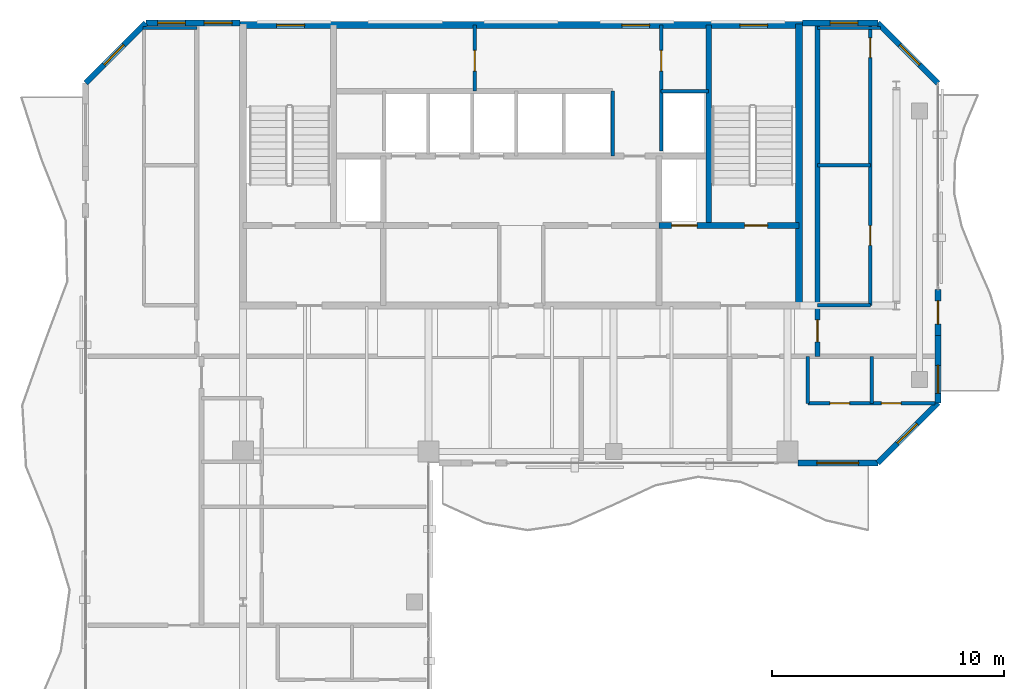
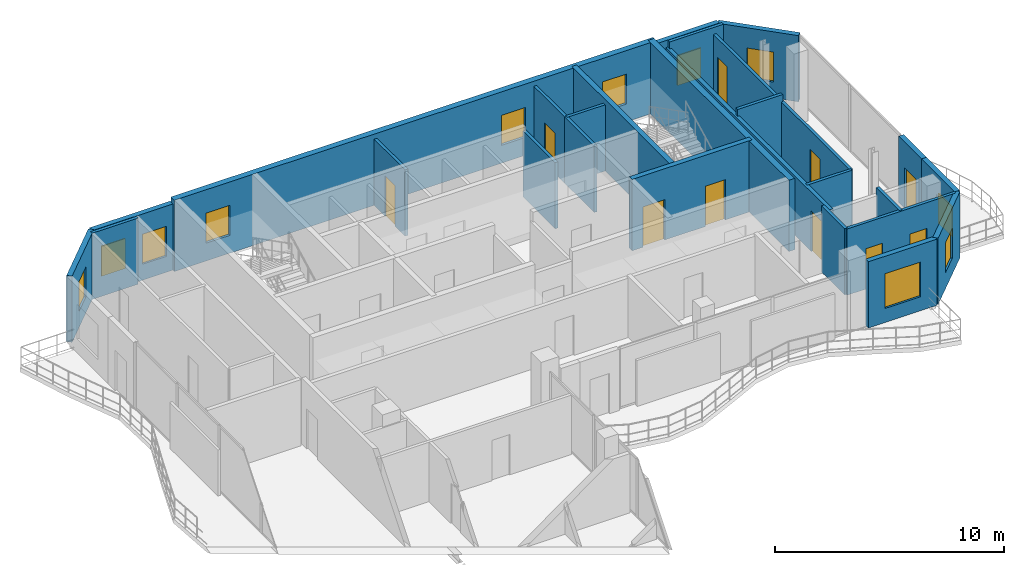
# One storey, part 13 of 16: 26 walls, 11 windows, 10 doors, 21 openings.
"""IFC4 building model written with IfcOpenShell, lengths in metres."""

from ifc_helpers import new_model, si_unit, direction, frame, frame_2d, origin, place, context, subcontext, project, spatial, rectangle, extrude, material, layer, layer_set, type_object, element, fill, save


model = new_model("IFC4")

# Units and contexts
model_context = context("Model", 3, precision=1e-05, world=origin(), true_north=direction((0.0, 1.0)))
body_context = subcontext(model_context, "Body", "Model", "MODEL_VIEW")
ifc_project = project(units=[si_unit("LENGTHUNIT", "METRE"), si_unit("AREAUNIT", "SQUARE_METRE"), si_unit("VOLUMEUNIT", "CUBIC_METRE"), si_unit("PLANEANGLEUNIT", "RADIAN"), si_unit("MASSUNIT", "GRAM", prefix="KILO")], contexts=[model_context])

# Site, building, storey
site_placement = place(None, origin())
site = spatial("IfcSite", under=ifc_project, at=site_placement, CompositionType="ELEMENT")
building_placement = place(site_placement, origin())
building = spatial("IfcBuilding", under=site, at=building_placement, Name="Catumbela Crestline Tower", CompositionType="ELEMENT")
storey_placement = place(building_placement, frame((0.0, 0.0, 275.4)))
storey = spatial("IfcBuildingStorey", under=building, at=storey_placement, Name="L71", CompositionType="ELEMENT", Elevation=275.4)

# Wall
ifc_material_1 = material(Name="Concrete C50/60", Category="concrete")
ifc_layer_1 = layer(ifc_material_1, 0.25, Name="Concrete C50/60")
ifc_layer_set_1 = layer_set([ifc_layer_1], Name="Concrete C50/60")
wall_type_1 = type_object("IfcWallType", Name="CW-250D", PredefinedType="SHEAR", material=ifc_layer_set_1)
wall_1_placement = place(storey_placement, frame((36.1, 34.25, 0.0), z_axis=(0.0, 0.0, 1.0), x_axis=(0.0, 1.0, 0.0)))
element("IfcWall", 1, at=wall_1_placement, inside=storey, type_object=wall_type_1, Name="L71 Structural Core Shear Wall EWEB", PredefinedType="SHEAR", context=body_context, shape_type="SweptSolid", body=[
    extrude(rectangle(XDim=8.65, YDim=0.25, at=frame_2d((4.325, 0.0))), origin(), (0.0, 0.0, 1.0), 3.8),
])

# Wall, openings, doors
wall_2_placement = place(storey_placement, frame((33.95, 34.25, 0.0), z_axis=(0.0, 0.0, 1.0), x_axis=(1.0, 0.0, 0.0)))
wall_2 = element("IfcWall", 2, at=wall_2_placement, inside=storey, type_object=wall_type_1, Name="L71 Structural Core Shear Wall ST2S", PredefinedType="SHEAR", context=body_context, shape_type="SweptSolid", body=[
    extrude(rectangle(XDim=6.05, YDim=0.25, at=frame_2d((3.025, 0.0))), origin(), (0.0, 0.0, 1.0), 3.8),
])
opening_1_placement = place(wall_2_placement, frame((3.7, 0.0, 0.0)))
opening_1 = element("IfcOpeningElement", 3, at=opening_1_placement, cuts=wall_2, Name="Opening DF9-100", PredefinedType="OPENING", context=body_context, shape_type="SweptSolid", body=[
    extrude(rectangle(XDim=1.0, YDim=2.15, at=frame_2d((0.5, 1.075))), frame((0.0, 0.135, 0.0), z_axis=(0.0, -1.0, 0.0), x_axis=(1.0, 0.0, 0.0)), (0.0, 0.0, 1.0), 0.27),
])
opening_2_placement = place(wall_2_placement, frame((0.55, 0.0, 0.0)))
opening_2 = element("IfcOpeningElement", 4, at=opening_2_placement, cuts=wall_2, Name="Opening LD-110", PredefinedType="OPENING", context=body_context, shape_type="SweptSolid", body=[
    extrude(rectangle(XDim=1.1, YDim=2.15, at=frame_2d((0.55, 1.075))), frame((0.0, 0.135, 0.0), z_axis=(0.0, -1.0, 0.0), x_axis=(1.0, 0.0, 0.0)), (0.0, 0.0, 1.0), 0.27),
])
ifc_material_2 = material(Name="Stainless steel EN 1.4401", Category="steel")
door_type_1 = type_object("IfcDoorType", Name="DF9-100", OperationType="NOTDEFINED", PredefinedType="DOOR", material=ifc_material_2)
door_1_placement = place(opening_1_placement, origin())
door_1 = element("IfcDoor", 5, at=door_1_placement, inside=storey, type_object=door_type_1, Name="L71 Interior Door DR-L71-ST02", OperationType="SINGLE_SWING_RIGHT", OverallHeight=2.15, OverallWidth=1.0, PredefinedType="DOOR", context=body_context, shape_type="SweptSolid", body=[
    extrude(rectangle(XDim=1.0, YDim=2.15, at=frame_2d((0.5, 1.075))), frame((0.0, 0.025, 0.0), z_axis=(0.0, -1.0, 0.0), x_axis=(1.0, 0.0, 0.0)), (0.0, 0.0, 1.0), 0.05),
])
fill(opening_1, door_1)
door_type_2 = type_object("IfcDoorType", Name="LD-110", OperationType="NOTDEFINED", PredefinedType="DOOR", material=ifc_material_2)
door_2_placement = place(opening_2_placement, origin())
door_2 = element("IfcDoor", 6, at=door_2_placement, inside=storey, type_object=door_type_2, Name="L71 Lift Landing Sliding Door FL-02", OperationType="DOUBLE_DOOR_SLIDING", OverallHeight=2.15, OverallWidth=1.1, PredefinedType="DOOR", context=body_context, shape_type="SweptSolid", body=[
    extrude(rectangle(XDim=1.1, YDim=2.15, at=frame_2d((0.55, 1.075))), frame((0.0, 0.025, 0.0), z_axis=(0.0, -1.0, 0.0), x_axis=(1.0, 0.0, 0.0)), (0.0, 0.0, 1.0), 0.05),
])
fill(opening_2, door_2)

# Wall
ifc_material_3 = material(Name="Concrete C45/55", Category="concrete")
ifc_layer_2 = layer(ifc_material_3, 0.3, Name="Concrete C45/55")
ifc_layer_set_2 = layer_set([ifc_layer_2], Name="Concrete C45/55")
wall_type_2 = type_object("IfcWallType", Name="CW-300C", PredefinedType="SHEAR", material=ifc_layer_set_2)
wall_3_placement = place(storey_placement, frame((40.0, 30.65, 0.0), z_axis=(0.0, 0.0, 1.0), x_axis=(0.0, 1.0, 0.0)))
element("IfcWall", 7, at=wall_3_placement, inside=storey, type_object=wall_type_2, Name="L71 Structural Core Shear Wall E", PredefinedType="SHEAR", context=body_context, shape_type="SweptSolid", body=[
    extrude(rectangle(XDim=12.3, YDim=0.3, at=frame_2d((6.15, 0.0))), origin(), (0.0, 0.0, 1.0), 3.8),
])

# Wall, openings, windows
ifc_layer_3 = layer(ifc_material_3, 0.3, Name="Concrete C45/55")
ifc_layer_set_3 = layer_set([ifc_layer_3], Name="Concrete C45/55")
wall_type_3 = type_object("IfcWallType", Name="CW-300E", PredefinedType="SHEAR", material=ifc_layer_set_3)
wall_4_placement = place(storey_placement, frame((15.85, 42.9, 0.0), z_axis=(0.0, 0.0, 1.0), x_axis=(1.0, 0.0, 0.0)))
wall_4 = element("IfcWall", 8, at=wall_4_placement, inside=storey, type_object=wall_type_3, Name="L71 Structural Core Shear Wall N", PredefinedType="SHEAR", context=body_context, shape_type="SweptSolid", body=[
    extrude(rectangle(XDim=24.3, YDim=0.3, at=frame_2d((12.15, 0.0))), origin(), (0.0, 0.0, 1.0), 3.8),
])
opening_3_placement = place(wall_4_placement, frame((1.6, 0.0, 0.95)))
opening_3 = element("IfcOpeningElement", 9, at=opening_3_placement, cuts=wall_4, Name="Opening WN-02", PredefinedType="OPENING", context=body_context, shape_type="SweptSolid", body=[
    extrude(rectangle(XDim=1.2, YDim=1.6, at=frame_2d((0.6, 0.8))), frame((0.0, 0.16, 0.0), z_axis=(0.0, -1.0, 0.0), x_axis=(1.0, 0.0, 0.0)), (0.0, 0.0, 1.0), 0.32),
])
opening_4_placement = place(wall_4_placement, frame((16.5, 0.0, 0.95)))
opening_4 = element("IfcOpeningElement", 10, at=opening_4_placement, cuts=wall_4, Name="Opening WN-02", PredefinedType="OPENING", context=body_context, shape_type="SweptSolid", body=[
    extrude(rectangle(XDim=1.2, YDim=1.6, at=frame_2d((0.6, 0.8))), frame((0.0, 0.16, 0.0), z_axis=(0.0, -1.0, 0.0), x_axis=(1.0, 0.0, 0.0)), (0.0, 0.0, 1.0), 0.32),
])
opening_5_placement = place(wall_4_placement, frame((21.6, 0.0, 0.95)))
opening_5 = element("IfcOpeningElement", 11, at=opening_5_placement, cuts=wall_4, Name="Opening WN-02", PredefinedType="OPENING", context=body_context, shape_type="SweptSolid", body=[
    extrude(rectangle(XDim=1.2, YDim=1.6, at=frame_2d((0.6, 0.8))), frame((0.0, 0.16, 0.0), z_axis=(0.0, -1.0, 0.0), x_axis=(1.0, 0.0, 0.0)), (0.0, 0.0, 1.0), 0.32),
])
ifc_material_4 = material(Name="Low-E laminated solar-control double glazing", Category="glass")
window_type_1 = type_object("IfcWindowType", Name="WO-1200", PartitioningType="SINGLE_PANEL", PredefinedType="WINDOW", material=ifc_material_4)
window_1_placement = place(opening_3_placement, origin())
window_1 = element("IfcWindow", 12, at=window_1_placement, inside=storey, type_object=window_type_1, Name="L71 North Core Daylight Vision Window 563", OverallHeight=1.6, OverallWidth=1.2, PartitioningType="SINGLE_PANEL", PredefinedType="WINDOW", context=body_context, shape_type="SweptSolid", body=[
    extrude(rectangle(XDim=1.2, YDim=1.6, at=frame_2d((0.6, 0.8))), frame((0.0, 0.03, 0.0), z_axis=(0.0, -1.0, 0.0), x_axis=(1.0, 0.0, 0.0)), (0.0, 0.0, 1.0), 0.06),
])
fill(opening_3, window_1)
window_2_placement = place(opening_4_placement, origin())
window_2 = element("IfcWindow", 13, at=window_2_placement, inside=storey, type_object=window_type_1, Name="L71 North Core Daylight Vision Window 564", OverallHeight=1.6, OverallWidth=1.2, PartitioningType="SINGLE_PANEL", PredefinedType="WINDOW", context=body_context, shape_type="SweptSolid", body=[
    extrude(rectangle(XDim=1.2, YDim=1.6, at=frame_2d((0.6, 0.8))), frame((0.0, 0.03, 0.0), z_axis=(0.0, -1.0, 0.0), x_axis=(1.0, 0.0, 0.0)), (0.0, 0.0, 1.0), 0.06),
])
fill(opening_4, window_2)
window_3_placement = place(opening_5_placement, origin())
window_3 = element("IfcWindow", 14, at=window_3_placement, inside=storey, type_object=window_type_1, Name="L71 North Core Daylight Vision Window 565", OverallHeight=1.6, OverallWidth=1.2, PartitioningType="SINGLE_PANEL", PredefinedType="WINDOW", context=body_context, shape_type="SweptSolid", body=[
    extrude(rectangle(XDim=1.2, YDim=1.6, at=frame_2d((0.6, 0.8))), frame((0.0, 0.03, 0.0), z_axis=(0.0, -1.0, 0.0), x_axis=(1.0, 0.0, 0.0)), (0.0, 0.0, 1.0), 0.06),
])
fill(opening_5, window_3)

# Wall, opening, door
ifc_material_5 = material(Name="Acoustic gypsum and mineral-wool partition")
ifc_layer_4 = layer(ifc_material_5, 0.2, Name="Acoustic gypsum and mineral-wool partition")
ifc_layer_set_4 = layer_set([ifc_layer_4], Name="Acoustic gypsum and mineral-wool partition")
wall_type_4 = type_object("IfcWallType", Name="WC-200", PredefinedType="PARTITIONING", material=ifc_layer_set_4)
wall_5_placement = place(storey_placement, frame((40.8, 28.6, 0.0), z_axis=(0.0, 0.0, 1.0), x_axis=(0.0, 1.0, 0.0)))
wall_5 = element("IfcWall", 15, at=wall_5_placement, inside=storey, type_object=wall_type_4, Name="L71 Interior Partition PW-L71-NE1-ENT", PredefinedType="PARTITIONING", context=body_context, shape_type="SweptSolid", body=[
    extrude(rectangle(XDim=14.3, YDim=0.2, at=frame_2d((7.15, 0.0))), origin(), (0.0, 0.0, 1.0), 3.16),
])
opening_6_placement = place(wall_5_placement, frame((0.625, 0.0, 0.0)))
opening_6 = element("IfcOpeningElement", 16, at=opening_6_placement, cuts=wall_5, Name="Opening DF6-095", PredefinedType="OPENING", context=body_context, shape_type="SweptSolid", body=[
    extrude(rectangle(XDim=0.95, YDim=2.15, at=frame_2d((0.475, 1.075))), frame((0.0, 0.11, 0.0), z_axis=(0.0, -1.0, 0.0), x_axis=(1.0, 0.0, 0.0)), (0.0, 0.0, 1.0), 0.22),
])
ifc_material_6 = material(Name="Aluminium alloy AW-6060-T66", Category="aluminium")
door_type_3 = type_object("IfcDoorType", Name="DF6-095", OperationType="NOTDEFINED", PredefinedType="DOOR", material=ifc_material_6)
door_3_placement = place(opening_6_placement, origin())
door_3 = element("IfcDoor", 17, at=door_3_placement, inside=storey, type_object=door_type_3, Name="L71 Interior Door DR-L71-NE1-ENT", OperationType="SINGLE_SWING_LEFT", OverallHeight=2.15, OverallWidth=0.95, PredefinedType="DOOR", context=body_context, shape_type="SweptSolid", body=[
    extrude(rectangle(XDim=0.95, YDim=2.15, at=frame_2d((0.475, 1.075))), frame((0.0, 0.025, 0.0), z_axis=(0.0, -1.0, 0.0), x_axis=(1.0, 0.0, 0.0)), (0.0, 0.0, 1.0), 0.05),
])
fill(opening_6, door_3)

# Wall, opening, window
ifc_material_7 = material(Name="Angolan grey-ochre granite", Category="masonry")
ifc_layer_5 = layer(ifc_material_7, 0.25, Name="Angolan grey-ochre granite")
ifc_layer_set_5 = layer_set([ifc_layer_5], Name="Angolan grey-ochre granite")
wall_type_5 = type_object("IfcWallType", Name="WE-250", PredefinedType="STANDARD", material=ifc_layer_set_5)
wall_6_placement = place(storey_placement, frame((39.95, 24.0, 0.0), z_axis=(0.0, 0.0, 1.0), x_axis=(1.0, 0.0, 0.0)))
wall_6 = element("IfcWall", 18, at=wall_6_placement, inside=storey, type_object=wall_type_5, Name="L71 Granite Punched Window Wall 3-3", PredefinedType="STANDARD", context=body_context, shape_type="SweptSolid", body=[
    extrude(rectangle(XDim=3.45, YDim=0.25, at=frame_2d((1.725, 0.0))), origin(), (0.0, 0.0, 1.0), 3.53),
])
opening_7_placement = place(wall_6_placement, frame((0.825, 0.0, 0.75)))
opening_7 = element("IfcOpeningElement", 19, at=opening_7_placement, cuts=wall_6, Name="Opening WN-01", PredefinedType="OPENING", context=body_context, shape_type="SweptSolid", body=[
    extrude(rectangle(XDim=1.8, YDim=1.85, at=frame_2d((0.9, 0.925))), frame((0.0, 0.135, 0.0), z_axis=(0.0, -1.0, 0.0), x_axis=(1.0, 0.0, 0.0)), (0.0, 0.0, 1.0), 0.27),
])
window_type_2 = type_object("IfcWindowType", Name="WF-1800", PartitioningType="SINGLE_PANEL", PredefinedType="WINDOW", material=ifc_material_4)
window_4_placement = place(opening_7_placement, origin())
window_4 = element("IfcWindow", 20, at=window_4_placement, inside=storey, type_object=window_type_2, Name="L71 Facade Vision Window 567", OverallHeight=1.85, OverallWidth=1.8, PartitioningType="SINGLE_PANEL", PredefinedType="WINDOW", context=body_context, shape_type="SweptSolid", body=[
    extrude(rectangle(XDim=1.8, YDim=1.85, at=frame_2d((0.9, 0.925))), frame((0.0, 0.03, 0.0), z_axis=(0.0, -1.0, 0.0), x_axis=(1.0, 0.0, 0.0)), (0.0, 0.0, 1.0), 0.06),
])
fill(opening_7, window_4)

wall_7_placement = place(storey_placement, frame((43.4, 24.0, 0.0), z_axis=(0.0, 0.0, 1.0), x_axis=(0.707106781187, 0.707106781187, 0.0)))
wall_7 = element("IfcWall", 21, at=wall_7_placement, inside=storey, type_object=wall_type_5, Name="L71 Granite Punched Window Wall 4-1", PredefinedType="STANDARD", context=body_context, shape_type="SweptSolid", body=[
    extrude(rectangle(XDim=3.677, YDim=0.25, at=frame_2d((1.8385, 0.0))), origin(), (0.0, 0.0, 1.0), 3.53),
])
opening_8_placement = place(wall_7_placement, frame((1.1962, 0.0, 0.85)))
opening_8 = element("IfcOpeningElement", 22, at=opening_8_placement, cuts=wall_7, Name="Opening WN-02", PredefinedType="OPENING", context=body_context, shape_type="SweptSolid", body=[
    extrude(rectangle(XDim=1.2, YDim=1.6, at=frame_2d((0.6, 0.8))), frame((0.0, 0.135, 0.0), z_axis=(0.0, -1.0, 0.0), x_axis=(1.0, 0.0, 0.0)), (0.0, 0.0, 1.0), 0.27),
])
window_5_placement = place(opening_8_placement, origin())
window_5 = element("IfcWindow", 23, at=window_5_placement, inside=storey, type_object=window_type_1, Name="L71 Facade Vision Window 568", OverallHeight=1.6, OverallWidth=1.2, PartitioningType="SINGLE_PANEL", PredefinedType="WINDOW", context=body_context, shape_type="SweptSolid", body=[
    extrude(rectangle(XDim=1.2, YDim=1.6, at=frame_2d((0.6, 0.8))), frame((0.0, 0.03, 0.0), z_axis=(0.0, -1.0, 0.0), x_axis=(1.0, 0.0, 0.0)), (0.0, 0.0, 1.0), 0.06),
])
fill(opening_8, window_5)

# Wall, opening, door
wall_8_placement = place(storey_placement, frame((46.0, 29.5, 0.0), z_axis=(0.0, 0.0, 1.0), x_axis=(0.0, 1.0, 0.0)))
wall_8 = element("IfcWall", 24, at=wall_8_placement, inside=storey, type_object=wall_type_5, Name="L71 Exterior Threshold Portal Wall DR-L71-WBAL-2", PredefinedType="STANDARD", context=body_context, shape_type="SweptSolid", body=[
    extrude(rectangle(XDim=2.0, YDim=0.25, at=frame_2d((1.0, 0.0))), origin(), (0.0, 0.0, 1.0), 3.53),
])
opening_9_placement = place(wall_8_placement, frame((0.5, 0.0, 0.0)))
opening_9 = element("IfcOpeningElement", 25, at=opening_9_placement, cuts=wall_8, Name="Opening DB-L71-2", PredefinedType="OPENING", context=body_context, shape_type="SweptSolid", body=[
    extrude(rectangle(XDim=1.0, YDim=2.15, at=frame_2d((0.5, 1.075))), frame((0.0, 0.135, 0.0), z_axis=(0.0, -1.0, 0.0), x_axis=(1.0, 0.0, 0.0)), (0.0, 0.0, 1.0), 0.27),
])
door_type_4 = type_object("IfcDoorType", Name="DB-1000", OperationType="NOTDEFINED", PredefinedType="DOOR", material=ifc_material_6)
door_4_placement = place(opening_9_placement, origin())
door_4 = element("IfcDoor", 26, at=door_4_placement, inside=storey, type_object=door_type_4, Name="L71 Wave Balcony Terrace Door 2", OperationType="SINGLE_SWING_RIGHT", OverallHeight=2.15, OverallWidth=1.0, PredefinedType="DOOR", context=body_context, shape_type="SweptSolid", body=[
    extrude(rectangle(XDim=1.0, YDim=2.15, at=frame_2d((0.5, 1.075))), frame((0.0, 0.025, 0.0), z_axis=(0.0, -1.0, 0.0), x_axis=(1.0, 0.0, 0.0)), (0.0, 0.0, 1.0), 0.05),
])
fill(opening_9, door_4)

# Wall, opening, window
wall_9_placement = place(storey_placement, frame((46.0, 26.6, 0.0), z_axis=(0.0, 0.0, 1.0), x_axis=(0.0, 1.0, 0.0)))
wall_9 = element("IfcWall", 27, at=wall_9_placement, inside=storey, type_object=wall_type_5, Name="L71 Granite Punched Window Wall 5-1", PredefinedType="STANDARD", context=body_context, shape_type="SweptSolid", body=[
    extrude(rectangle(XDim=2.9, YDim=0.25, at=frame_2d((1.45, 0.0))), origin(), (0.0, 0.0, 1.0), 3.53),
])
opening_10_placement = place(wall_9_placement, frame((0.41, 0.0, 0.85)))
opening_10 = element("IfcOpeningElement", 28, at=opening_10_placement, cuts=wall_9, Name="Opening WN-02", PredefinedType="OPENING", context=body_context, shape_type="SweptSolid", body=[
    extrude(rectangle(XDim=1.2, YDim=1.6, at=frame_2d((0.6, 0.8))), frame((0.0, 0.135, 0.0), z_axis=(0.0, -1.0, 0.0), x_axis=(1.0, 0.0, 0.0)), (0.0, 0.0, 1.0), 0.27),
])
window_6_placement = place(opening_10_placement, origin())
window_6 = element("IfcWindow", 29, at=window_6_placement, inside=storey, type_object=window_type_1, Name="L71 Facade Vision Window 569", OverallHeight=1.6, OverallWidth=1.2, PartitioningType="SINGLE_PANEL", PredefinedType="WINDOW", context=body_context, shape_type="SweptSolid", body=[
    extrude(rectangle(XDim=1.2, YDim=1.6, at=frame_2d((0.6, 0.8))), frame((0.0, 0.03, 0.0), z_axis=(0.0, -1.0, 0.0), x_axis=(1.0, 0.0, 0.0)), (0.0, 0.0, 1.0), 0.06),
])
fill(opening_10, window_6)

wall_10_placement = place(storey_placement, frame((46.0, 40.4, 0.0), z_axis=(0.0, 0.0, 1.0), x_axis=(-0.707106781187, 0.707106781187, 0.0)))
wall_10 = element("IfcWall", 30, at=wall_10_placement, inside=storey, type_object=wall_type_5, Name="L71 Granite Punched Window Wall 6-1", PredefinedType="STANDARD", context=body_context, shape_type="SweptSolid", body=[
    extrude(rectangle(XDim=3.677, YDim=0.25, at=frame_2d((1.8385, 0.0))), origin(), (0.0, 0.0, 1.0), 3.53),
])
opening_11_placement = place(wall_10_placement, frame((1.1282, 0.0, 0.85)))
opening_11 = element("IfcOpeningElement", 31, at=opening_11_placement, cuts=wall_10, Name="Opening WN-02", PredefinedType="OPENING", context=body_context, shape_type="SweptSolid", body=[
    extrude(rectangle(XDim=1.2, YDim=1.6, at=frame_2d((0.6, 0.8))), frame((0.0, 0.135, 0.0), z_axis=(0.0, -1.0, 0.0), x_axis=(1.0, 0.0, 0.0)), (0.0, 0.0, 1.0), 0.27),
])
window_7_placement = place(opening_11_placement, origin())
window_7 = element("IfcWindow", 32, at=window_7_placement, inside=storey, type_object=window_type_1, Name="L71 Facade Vision Window 570", OverallHeight=1.6, OverallWidth=1.2, PartitioningType="SINGLE_PANEL", PredefinedType="WINDOW", context=body_context, shape_type="SweptSolid", body=[
    extrude(rectangle(XDim=1.2, YDim=1.6, at=frame_2d((0.6, 0.8))), frame((0.0, 0.03, 0.0), z_axis=(0.0, -1.0, 0.0), x_axis=(1.0, 0.0, 0.0)), (0.0, 0.0, 1.0), 0.06),
])
fill(opening_11, window_7)

wall_11_placement = place(storey_placement, frame((43.4, 43.0, 0.0), z_axis=(0.0, 0.0, 1.0), x_axis=(-1.0, 0.0, 0.0)))
wall_11 = element("IfcWall", 33, at=wall_11_placement, inside=storey, type_object=wall_type_5, Name="L71 Granite Punched Window Wall 7-1", PredefinedType="STANDARD", context=body_context, shape_type="SweptSolid", body=[
    extrude(rectangle(XDim=3.26, YDim=0.25, at=frame_2d((1.63, 0.0))), origin(), (0.0, 0.0, 1.0), 3.53),
])
opening_12_placement = place(wall_11_placement, frame((0.86, 0.0, 0.85)))
opening_12 = element("IfcOpeningElement", 34, at=opening_12_placement, cuts=wall_11, Name="Opening WN-02", PredefinedType="OPENING", context=body_context, shape_type="SweptSolid", body=[
    extrude(rectangle(XDim=1.2, YDim=1.6, at=frame_2d((0.6, 0.8))), frame((0.0, 0.135, 0.0), z_axis=(0.0, -1.0, 0.0), x_axis=(1.0, 0.0, 0.0)), (0.0, 0.0, 1.0), 0.27),
])
window_8_placement = place(opening_12_placement, origin())
window_8 = element("IfcWindow", 35, at=window_8_placement, inside=storey, type_object=window_type_1, Name="L71 Facade Vision Window 571", OverallHeight=1.6, OverallWidth=1.2, PartitioningType="SINGLE_PANEL", PredefinedType="WINDOW", context=body_context, shape_type="SweptSolid", body=[
    extrude(rectangle(XDim=1.2, YDim=1.6, at=frame_2d((0.6, 0.8))), frame((0.0, 0.03, 0.0), z_axis=(0.0, -1.0, 0.0), x_axis=(1.0, 0.0, 0.0)), (0.0, 0.0, 1.0), 0.06),
])
fill(opening_12, window_8)

# Wall, openings, windows
wall_12_placement = place(storey_placement, frame((15.86, 43.0, 0.0), z_axis=(0.0, 0.0, 1.0), x_axis=(-1.0, 0.0, 0.0)))
wall_12 = element("IfcWall", 36, at=wall_12_placement, inside=storey, type_object=wall_type_5, Name="L71 Granite Punched Window Wall 7-2", PredefinedType="STANDARD", context=body_context, shape_type="SweptSolid", body=[
    extrude(rectangle(XDim=4.06, YDim=0.25, at=frame_2d((2.03, 0.0))), origin(), (0.0, 0.0, 1.0), 3.53),
])
opening_13_placement = place(wall_12_placement, frame((0.34, 0.0, 0.85)))
opening_13 = element("IfcOpeningElement", 37, at=opening_13_placement, cuts=wall_12, Name="Opening WN-02", PredefinedType="OPENING", context=body_context, shape_type="SweptSolid", body=[
    extrude(rectangle(XDim=1.2, YDim=1.6, at=frame_2d((0.6, 0.8))), frame((0.0, 0.135, 0.0), z_axis=(0.0, -1.0, 0.0), x_axis=(1.0, 0.0, 0.0)), (0.0, 0.0, 1.0), 0.27),
])
opening_14_placement = place(wall_12_placement, frame((2.35, 0.0, 0.85)))
opening_14 = element("IfcOpeningElement", 38, at=opening_14_placement, cuts=wall_12, Name="Opening WN-02", PredefinedType="OPENING", context=body_context, shape_type="SweptSolid", body=[
    extrude(rectangle(XDim=1.2, YDim=1.6, at=frame_2d((0.6, 0.8))), frame((0.0, 0.135, 0.0), z_axis=(0.0, -1.0, 0.0), x_axis=(1.0, 0.0, 0.0)), (0.0, 0.0, 1.0), 0.27),
])
window_9_placement = place(opening_13_placement, origin())
window_9 = element("IfcWindow", 39, at=window_9_placement, inside=storey, type_object=window_type_1, Name="L71 Facade Vision Window 572", OverallHeight=1.6, OverallWidth=1.2, PartitioningType="SINGLE_PANEL", PredefinedType="WINDOW", context=body_context, shape_type="SweptSolid", body=[
    extrude(rectangle(XDim=1.2, YDim=1.6, at=frame_2d((0.6, 0.8))), frame((0.0, 0.03, 0.0), z_axis=(0.0, -1.0, 0.0), x_axis=(1.0, 0.0, 0.0)), (0.0, 0.0, 1.0), 0.06),
])
fill(opening_13, window_9)
window_10_placement = place(opening_14_placement, origin())
window_10 = element("IfcWindow", 40, at=window_10_placement, inside=storey, type_object=window_type_1, Name="L71 Facade Vision Window 573", OverallHeight=1.6, OverallWidth=1.2, PartitioningType="SINGLE_PANEL", PredefinedType="WINDOW", context=body_context, shape_type="SweptSolid", body=[
    extrude(rectangle(XDim=1.2, YDim=1.6, at=frame_2d((0.6, 0.8))), frame((0.0, 0.03, 0.0), z_axis=(0.0, -1.0, 0.0), x_axis=(1.0, 0.0, 0.0)), (0.0, 0.0, 1.0), 0.06),
])
fill(opening_14, window_10)

# Wall, opening, window
wall_13_placement = place(storey_placement, frame((11.8, 43.0, 0.0), z_axis=(0.0, 0.0, 1.0), x_axis=(-0.707106781187, -0.707106781187, 0.0)))
wall_13 = element("IfcWall", 41, at=wall_13_placement, inside=storey, type_object=wall_type_5, Name="L71 Granite Punched Window Wall 8-1", PredefinedType="STANDARD", context=body_context, shape_type="SweptSolid", body=[
    extrude(rectangle(XDim=3.677, YDim=0.25, at=frame_2d((1.8385, 0.0))), origin(), (0.0, 0.0, 1.0), 3.53),
])
opening_15_placement = place(wall_13_placement, frame((1.3487, 0.0, 0.85)))
opening_15 = element("IfcOpeningElement", 42, at=opening_15_placement, cuts=wall_13, Name="Opening WN-02", PredefinedType="OPENING", context=body_context, shape_type="SweptSolid", body=[
    extrude(rectangle(XDim=1.2, YDim=1.6, at=frame_2d((0.6, 0.8))), frame((0.0, 0.135, 0.0), z_axis=(0.0, -1.0, 0.0), x_axis=(1.0, 0.0, 0.0)), (0.0, 0.0, 1.0), 0.27),
])
window_11_placement = place(opening_15_placement, origin())
window_11 = element("IfcWindow", 43, at=window_11_placement, inside=storey, type_object=window_type_1, Name="L71 Facade Vision Window 574", OverallHeight=1.6, OverallWidth=1.2, PartitioningType="SINGLE_PANEL", PredefinedType="WINDOW", context=body_context, shape_type="SweptSolid", body=[
    extrude(rectangle(XDim=1.2, YDim=1.6, at=frame_2d((0.6, 0.8))), frame((0.0, 0.03, 0.0), z_axis=(0.0, -1.0, 0.0), x_axis=(1.0, 0.0, 0.0)), (0.0, 0.0, 1.0), 0.06),
])
fill(opening_15, window_11)

# Wall
ifc_layer_6 = layer(ifc_material_5, 0.15, Name="Acoustic gypsum and mineral-wool partition")
ifc_layer_set_6 = layer_set([ifc_layer_6], Name="Acoustic gypsum and mineral-wool partition")
wall_type_6 = type_object("IfcWallType", Name="WP-150", PredefinedType="PARTITIONING", material=ifc_layer_set_6)
wall_14_placement = place(storey_placement, frame((34.05, 40.05, 0.0), z_axis=(0.0, 0.0, 1.0), x_axis=(1.0, 0.0, 0.0)))
element("IfcWall", 44, at=wall_14_placement, inside=storey, type_object=wall_type_6, Name="L71 Interior Partition PW-L71-CR-ES", PredefinedType="PARTITIONING", context=body_context, shape_type="SweptSolid", body=[
    extrude(rectangle(XDim=2.05, YDim=0.15, at=frame_2d((1.025, 0.0))), origin(), (0.0, 0.0, 1.0), 3.53),
])

# Wall, opening, door
wall_15_placement = place(storey_placement, frame((34.05, 40.05, 0.0), z_axis=(0.0, 0.0, 1.0), x_axis=(0.0, 1.0, 0.0)))
wall_15 = element("IfcWall", 45, at=wall_15_placement, inside=storey, type_object=wall_type_6, Name="L71 Interior Partition PW-L71-CR-EW", PredefinedType="PARTITIONING", context=body_context, shape_type="SweptSolid", body=[
    extrude(rectangle(XDim=2.85, YDim=0.15, at=frame_2d((1.425, 0.0))), origin(), (0.0, 0.0, 1.0), 3.53),
])
opening_16_placement = place(wall_15_placement, frame((0.865, 0.0, 0.0)))
opening_16 = element("IfcOpeningElement", 46, at=opening_16_placement, cuts=wall_15, Name="Opening DF9-090", PredefinedType="OPENING", context=body_context, shape_type="SweptSolid", body=[
    extrude(rectangle(XDim=0.9, YDim=2.15, at=frame_2d((0.45, 1.075))), frame((0.0, 0.085, 0.0), z_axis=(0.0, -1.0, 0.0), x_axis=(1.0, 0.0, 0.0)), (0.0, 0.0, 1.0), 0.17),
])
door_type_5 = type_object("IfcDoorType", Name="DF9-090", OperationType="NOTDEFINED", PredefinedType="DOOR", material=ifc_material_2)
door_5_placement = place(opening_16_placement, origin())
door_5 = element("IfcDoor", 47, at=door_5_placement, inside=storey, type_object=door_type_5, Name="L71 Interior Door DR-L71-CREAST", OperationType="SINGLE_SWING_RIGHT", OverallHeight=2.15, OverallWidth=0.9, PredefinedType="DOOR", context=body_context, shape_type="SweptSolid", body=[
    extrude(rectangle(XDim=0.9, YDim=2.15, at=frame_2d((0.45, 1.075))), frame((0.0, 0.025, 0.0), z_axis=(0.0, -1.0, 0.0), x_axis=(1.0, 0.0, 0.0)), (0.0, 0.0, 1.0), 0.05),
])
fill(opening_16, door_5)

wall_16_placement = place(storey_placement, frame((26.0, 40.05, 0.0), z_axis=(0.0, 0.0, 1.0), x_axis=(0.0, 1.0, 0.0)))
wall_16 = element("IfcWall", 48, at=wall_16_placement, inside=storey, type_object=wall_type_6, Name="L71 Interior Partition PW-L71-CR-WW", PredefinedType="PARTITIONING", context=body_context, shape_type="SweptSolid", body=[
    extrude(rectangle(XDim=2.85, YDim=0.15, at=frame_2d((1.425, 0.0))), origin(), (0.0, 0.0, 1.0), 3.53),
])
opening_17_placement = place(wall_16_placement, frame((0.865, 0.0, 0.0)))
opening_17 = element("IfcOpeningElement", 49, at=opening_17_placement, cuts=wall_16, Name="Opening DF9-090", PredefinedType="OPENING", context=body_context, shape_type="SweptSolid", body=[
    extrude(rectangle(XDim=0.9, YDim=2.15, at=frame_2d((0.45, 1.075))), frame((0.0, 0.085, 0.0), z_axis=(0.0, -1.0, 0.0), x_axis=(1.0, 0.0, 0.0)), (0.0, 0.0, 1.0), 0.17),
])
door_6_placement = place(opening_17_placement, origin())
door_6 = element("IfcDoor", 50, at=door_6_placement, inside=storey, type_object=door_type_5, Name="L71 Interior Door DR-L71-CRWEST", OperationType="SINGLE_SWING_LEFT", OverallHeight=2.15, OverallWidth=0.9, PredefinedType="DOOR", context=body_context, shape_type="SweptSolid", body=[
    extrude(rectangle(XDim=0.9, YDim=2.15, at=frame_2d((0.45, 1.075))), frame((0.0, 0.025, 0.0), z_axis=(0.0, -1.0, 0.0), x_axis=(1.0, 0.0, 0.0)), (0.0, 0.0, 1.0), 0.05),
])
fill(opening_17, door_6)

# Walls
wall_17_placement = place(storey_placement, frame((11.68, 42.78, 0.0), z_axis=(0.0, 0.0, 1.0), x_axis=(1.0, 0.0, 0.0)))
element("IfcWall", 51, at=wall_17_placement, inside=storey, type_object=wall_type_6, Name="L71 Interior Partition PW-L71-NW1-BTH-BCL-3", PredefinedType="PARTITIONING", context=body_context, shape_type="SweptSolid", body=[
    extrude(rectangle(XDim=2.32, YDim=0.15, at=frame_2d((1.16, 0.0))), origin(), (0.0, 0.0, 1.0), 3.53),
])
wall_18_placement = place(storey_placement, frame((40.8, 30.8, 0.0), z_axis=(0.0, 0.0, 1.0), x_axis=(1.0, 0.0, 0.0)))
element("IfcWall", 52, at=wall_18_placement, inside=storey, type_object=wall_type_6, Name="L71 Interior Partition PW-L71-NE1-KBS", PredefinedType="PARTITIONING", context=body_context, shape_type="SweptSolid", body=[
    extrude(rectangle(XDim=2.28, YDim=0.15, at=frame_2d((1.14, 0.0))), origin(), (0.0, 0.0, 1.0), 3.16),
])
wall_19_placement = place(storey_placement, frame((40.8, 36.85, 0.0), z_axis=(0.0, 0.0, 1.0), x_axis=(1.0, 0.0, 0.0)))
element("IfcWall", 53, at=wall_19_placement, inside=storey, type_object=wall_type_6, Name="L71 Interior Partition PW-L71-NE1-KBM", PredefinedType="PARTITIONING", context=body_context, shape_type="SweptSolid", body=[
    extrude(rectangle(XDim=2.28, YDim=0.15, at=frame_2d((1.14, 0.0))), origin(), (0.0, 0.0, 1.0), 3.53),
])

# Wall, openings, doors
wall_20_placement = place(storey_placement, frame((43.08, 30.8, 0.0), z_axis=(0.0, 0.0, 1.0), x_axis=(0.0, 1.0, 0.0)))
wall_20 = element("IfcWall", 54, at=wall_20_placement, inside=storey, type_object=wall_type_6, Name="L71 Interior Partition PW-L71-NE1-SK1", PredefinedType="PARTITIONING", context=body_context, shape_type="SweptSolid", body=[
    extrude(rectangle(XDim=12.1, YDim=0.15, at=frame_2d((6.05, 0.0))), origin(), (0.0, 0.0, 1.0), 3.16),
])
opening_18_placement = place(wall_20_placement, frame((2.6, 0.0, 0.0)))
opening_18 = element("IfcOpeningElement", 55, at=opening_18_placement, cuts=wall_20, Name="Opening DI-085", PredefinedType="OPENING", context=body_context, shape_type="SweptSolid", body=[
    extrude(rectangle(XDim=0.85, YDim=2.15, at=frame_2d((0.425, 1.075))), frame((0.0, 0.085, 0.0), z_axis=(0.0, -1.0, 0.0), x_axis=(1.0, 0.0, 0.0)), (0.0, 0.0, 1.0), 0.17),
])
opening_19_placement = place(wall_20_placement, frame((10.7036, 0.0, 0.0)))
opening_19 = element("IfcOpeningElement", 56, at=opening_19_placement, cuts=wall_20, Name="Opening DI-085", PredefinedType="OPENING", context=body_context, shape_type="SweptSolid", body=[
    extrude(rectangle(XDim=0.85, YDim=2.15, at=frame_2d((0.425, 1.075))), frame((0.0, 0.085, 0.0), z_axis=(0.0, -1.0, 0.0), x_axis=(1.0, 0.0, 0.0)), (0.0, 0.0, 1.0), 0.17),
])
door_type_6 = type_object("IfcDoorType", Name="DI-085", OperationType="NOTDEFINED", PredefinedType="DOOR", material=ifc_material_6)
door_7_placement = place(opening_18_placement, origin())
door_7 = element("IfcDoor", 57, at=door_7_placement, inside=storey, type_object=door_type_6, Name="L71 Interior Door DR-L71-NE1-KIT", OperationType="SINGLE_SWING_LEFT", OverallHeight=2.15, OverallWidth=0.85, PredefinedType="DOOR", context=body_context, shape_type="SweptSolid", body=[
    extrude(rectangle(XDim=0.85, YDim=2.15, at=frame_2d((0.425, 1.075))), frame((0.0, 0.025, 0.0), z_axis=(0.0, -1.0, 0.0), x_axis=(1.0, 0.0, 0.0)), (0.0, 0.0, 1.0), 0.05),
])
fill(opening_18, door_7)
door_8_placement = place(opening_19_placement, origin())
door_8 = element("IfcDoor", 58, at=door_8_placement, inside=storey, type_object=door_type_6, Name="L71 Interior Door DR-L71-NE1-BTH", OperationType="SINGLE_SWING_RIGHT", OverallHeight=2.15, OverallWidth=0.85, PredefinedType="DOOR", context=body_context, shape_type="SweptSolid", body=[
    extrude(rectangle(XDim=0.85, YDim=2.15, at=frame_2d((0.425, 1.075))), frame((0.0, 0.025, 0.0), z_axis=(0.0, -1.0, 0.0), x_axis=(1.0, 0.0, 0.0)), (0.0, 0.0, 1.0), 0.05),
])
fill(opening_19, door_8)

# Walls
wall_21_placement = place(storey_placement, frame((40.8, 42.78, 0.0), z_axis=(0.0, 0.0, 1.0), x_axis=(1.0, 0.0, 0.0)))
element("IfcWall", 59, at=wall_21_placement, inside=storey, type_object=wall_type_6, Name="L71 Interior Partition PW-L71-NE1-BTH-BCL-2", PredefinedType="PARTITIONING", context=body_context, shape_type="SweptSolid", body=[
    extrude(rectangle(XDim=2.72, YDim=0.15, at=frame_2d((1.36, 0.0))), origin(), (0.0, 0.0, 1.0), 3.53),
])
for number, where, z_axis, x_axis, name in (
    (60, (40.382, 26.576, 0.0), (0.0, 0.0, 1.0), (0.0, 1.0, 0.0), "L71 Interior Partition PW-L71-S3-KBW"),
    (61, (43.141, 26.576, 0.0), (0.0, 0.0, 1.0), (0.0, 1.0, 0.0), "L71 Interior Partition PW-L71-S3-KBM"),
):
    element("IfcWall", number, at=place(storey_placement, frame(where, z_axis=z_axis, x_axis=x_axis)), inside=storey, type_object=wall_type_6, Name=name, PredefinedType="PARTITIONING", context=body_context, shape_type="SweptSolid", body=[
        extrude(rectangle(XDim=2.024, YDim=0.15, at=frame_2d((1.012, 0.0))), origin(), (0.0, 0.0, 1.0), 3.53),
    ])

# Wall, openings, doors
wall_22_placement = place(storey_placement, frame((40.382, 26.576, 0.0), z_axis=(0.0, 0.0, 1.0), x_axis=(1.0, 0.0, 0.0)))
wall_22 = element("IfcWall", 62, at=wall_22_placement, inside=storey, type_object=wall_type_6, Name="L71 Interior Partition PW-L71-S3-KBD1", PredefinedType="PARTITIONING", context=body_context, shape_type="SweptSolid", body=[
    extrude(rectangle(XDim=5.494, YDim=0.15, at=frame_2d((2.747, 0.0))), origin(), (0.0, 0.0, 1.0), 3.53),
])
opening_20_placement = place(wall_22_placement, frame((0.9545, 0.0, 0.0)))
opening_20 = element("IfcOpeningElement", 63, at=opening_20_placement, cuts=wall_22, Name="Opening DI-085", PredefinedType="OPENING", context=body_context, shape_type="SweptSolid", body=[
    extrude(rectangle(XDim=0.85, YDim=2.15, at=frame_2d((0.425, 1.075))), frame((0.0, 0.085, 0.0), z_axis=(0.0, -1.0, 0.0), x_axis=(1.0, 0.0, 0.0)), (0.0, 0.0, 1.0), 0.17),
])
opening_21_placement = place(wall_22_placement, frame((3.1735, 0.0, 0.0)))
opening_21 = element("IfcOpeningElement", 64, at=opening_21_placement, cuts=wall_22, Name="Opening DI-085", PredefinedType="OPENING", context=body_context, shape_type="SweptSolid", body=[
    extrude(rectangle(XDim=0.85, YDim=2.15, at=frame_2d((0.425, 1.075))), frame((0.0, 0.085, 0.0), z_axis=(0.0, -1.0, 0.0), x_axis=(1.0, 0.0, 0.0)), (0.0, 0.0, 1.0), 0.17),
])
door_9_placement = place(opening_20_placement, origin())
door_9 = element("IfcDoor", 65, at=door_9_placement, inside=storey, type_object=door_type_6, Name="L71 Interior Door DR-L71-S3-BTH", OperationType="SINGLE_SWING_LEFT", OverallHeight=2.15, OverallWidth=0.85, PredefinedType="DOOR", context=body_context, shape_type="SweptSolid", body=[
    extrude(rectangle(XDim=0.85, YDim=2.15, at=frame_2d((0.425, 1.075))), frame((0.0, 0.025, 0.0), z_axis=(0.0, -1.0, 0.0), x_axis=(1.0, 0.0, 0.0)), (0.0, 0.0, 1.0), 0.05),
])
fill(opening_20, door_9)
door_10_placement = place(opening_21_placement, origin())
door_10 = element("IfcDoor", 66, at=door_10_placement, inside=storey, type_object=door_type_6, Name="L71 Interior Door DR-L71-S3-KIT", OperationType="SINGLE_SWING_LEFT", OverallHeight=2.15, OverallWidth=0.85, PredefinedType="DOOR", context=body_context, shape_type="SweptSolid", body=[
    extrude(rectangle(XDim=0.85, YDim=2.15, at=frame_2d((0.425, 1.075))), frame((0.0, 0.025, 0.0), z_axis=(0.0, -1.0, 0.0), x_axis=(1.0, 0.0, 0.0)), (0.0, 0.0, 1.0), 0.05),
])
fill(opening_21, door_10)

# Walls
ifc_layer_7 = layer(ifc_material_5, 0.15, Name="Acoustic gypsum and mineral-wool partition")
ifc_layer_set_7 = layer_set([ifc_layer_7], Name="Acoustic gypsum and mineral-wool partition")
wall_type_7 = type_object("IfcWallType", Name="WS-150", PredefinedType="PLUMBINGWALL", material=ifc_layer_set_7)
wall_23_placement = place(storey_placement, frame((31.95, 37.25, 0.0), z_axis=(0.0, 0.0, 1.0), x_axis=(0.0, 1.0, 0.0)))
element("IfcWall", 67, at=wall_23_placement, inside=storey, type_object=wall_type_7, Name="L71 Interior Partition PW-L71-SHEX2E", PredefinedType="PLUMBINGWALL", context=body_context, shape_type="SweptSolid", body=[
    extrude(rectangle(XDim=2.8, YDim=0.15, at=frame_2d((1.4, 0.0))), origin(), (0.0, 0.0, 1.0), 3.53),
])
wall_24_placement = place(storey_placement, frame((34.05, 37.4734, 0.0), z_axis=(0.0, 0.0, 1.0), x_axis=(0.0, 1.0, 0.0)))
element("IfcWall", 68, at=wall_24_placement, inside=storey, type_object=wall_type_7, Name="L71 Interior Partition PW-L71-RISW", PredefinedType="PLUMBINGWALL", context=body_context, shape_type="SweptSolid", body=[
    extrude(rectangle(XDim=2.5766, YDim=0.15, at=frame_2d((1.2883, 0.0))), origin(), (0.0, 0.0, 1.0), 3.53),
])

save(model, "model.ifc")
